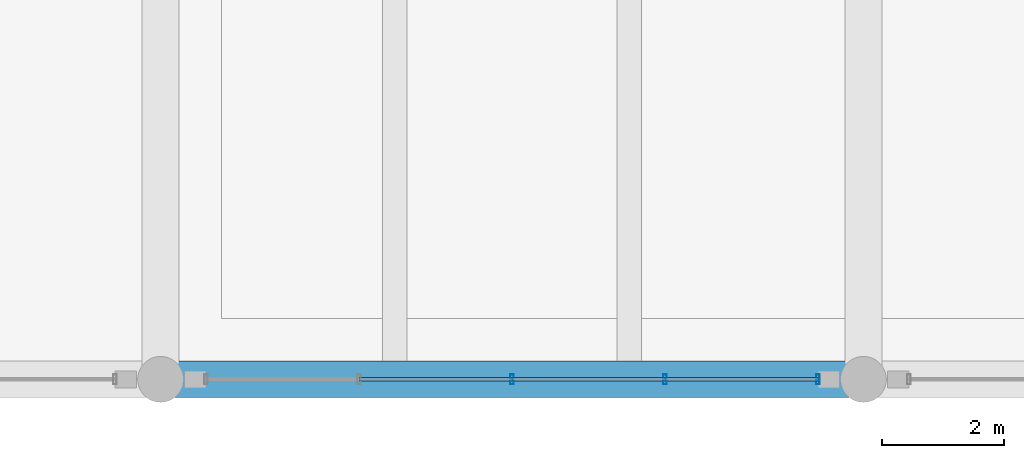
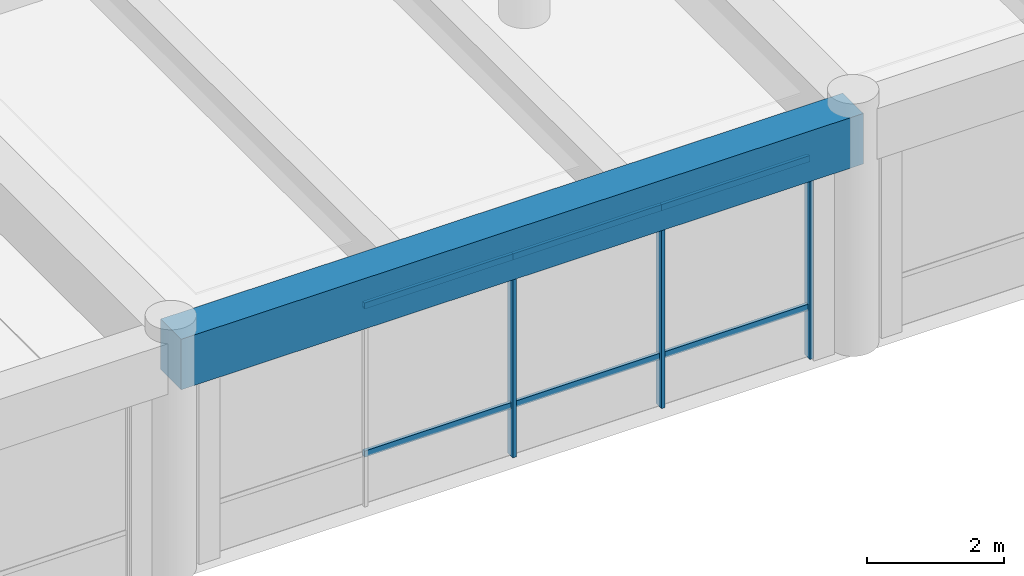
# One storey, part 28 of 154: 9 members, 1 beam, 1 element without a shape of its own.
"""IFC4 building model written with IfcOpenShell, lengths in metres."""

from ifc_helpers import new_model, si_unit, direction, frame, origin, origin_2d, place, context, subcontext, project, spatial, rectangle, hollow_rectangle, extrude, material, material_profile, profile_set, type_object, element, aggregate, save


model = new_model("IFC4")

# Units and contexts
model_context = context("Model", 3, precision=1e-05, world=origin(), true_north=direction((0.0, 1.0)))
body_context = subcontext(model_context, "Body", "Model", "MODEL_VIEW")
ifc_project = project(units=[si_unit("LENGTHUNIT", "METRE"), si_unit("AREAUNIT", "SQUARE_METRE"), si_unit("VOLUMEUNIT", "CUBIC_METRE"), si_unit("PLANEANGLEUNIT", "RADIAN"), si_unit("MASSUNIT", "GRAM", prefix="KILO")], contexts=[model_context])

# Site, building, storey
site_placement = place(None, origin())
site = spatial("IfcSite", under=ifc_project, at=site_placement, CompositionType="ELEMENT")
building_placement = place(site_placement, origin())
building = spatial("IfcBuilding", under=site, at=building_placement, Name="Ologun Quay Terminus", CompositionType="ELEMENT")
storey_placement = place(building_placement, frame((0.0, 0.0, 13.800048828125)))
storey = spatial("IfcBuildingStorey", under=building, at=storey_placement, Name="L03", CompositionType="ELEMENT", Elevation=13.800048828125)

# Curtain wall, members
ifc_material_1 = material(Name="Aluminium 6063-T6", Category="aluminium")
curtain_wall_type = type_object("IfcCurtainWallType", Name="South Pavilion Reading Hall Curtain Wall 10700x4150", PredefinedType="USERDEFINED", material=ifc_material_1)
curtain_wall_placement = place(storey_placement, origin())
curtain_wall = element("IfcCurtainWall", 1, at=curtain_wall_placement, inside=storey, type_object=curtain_wall_type, Name="CW-06 Curtain Wall CW-L03-035", ObjectType="UNITISED CURTAIN WALL", PredefinedType="USERDEFINED")
ifc_material_2 = material(Name="Aluminium 6063-T6", Category="aluminium")
ifc_material_profile_1 = material_profile(ifc_material_2, hollow_rectangle(XDim=0.06005859375, YDim=0.159912109375, WallThickness=0.00390625, at=origin_2d()), Name="ALU 160x60x4")
ifc_profile_set_1 = profile_set([ifc_material_profile_1], Name="Aluminium 6063-T6")
member_type_1 = type_object("IfcMemberType", Name="Curtain Wall Standard Mullion 160x65", PredefinedType="MULLION", material=ifc_profile_set_1)
member_1_placement = place(storey_placement, frame((74.75, 8.0, 0.0), z_axis=(0.0, 0.0, 1.0), x_axis=(1.0, 0.0, 0.0)))
member_1 = element("IfcMember", 2, at=member_1_placement, type_object=member_type_1, Name="CW-L03-035 Mullion 3", PredefinedType="MULLION", context=body_context, shape_type="SweptSolid", body=[
    extrude(hollow_rectangle(XDim=0.06005859375, YDim=0.159912109375, WallThickness=0.00390625, at=origin_2d()), origin(), (0.0, 0.0, 1.0), 4.239990234375),
])
member_2_placement = place(storey_placement, frame((77.25244140625, 8.0, 0.0), z_axis=(0.0, 0.0, 1.0), x_axis=(1.0, 0.0, 0.0)))
member_2 = element("IfcMember", 3, at=member_2_placement, type_object=member_type_1, Name="CW-L03-035 Mullion 4", PredefinedType="MULLION", context=body_context, shape_type="SweptSolid", body=[
    extrude(hollow_rectangle(XDim=0.06005859375, YDim=0.159912109375, WallThickness=0.00390625, at=origin_2d()), origin(), (0.0, 0.0, 1.0), 4.239990234375),
])
member_3_placement = place(storey_placement, frame((79.7548828125, 8.0, 0.0), z_axis=(0.0, 0.0, 1.0), x_axis=(1.0, 0.0, 0.0)))
member_3 = element("IfcMember", 4, at=member_3_placement, type_object=member_type_1, Name="CW-L03-035 Mullion 5", PredefinedType="MULLION", context=body_context, shape_type="SweptSolid", body=[
    extrude(hollow_rectangle(XDim=0.06005859375, YDim=0.159912109375, WallThickness=0.00390625, at=origin_2d()), origin(), (0.0, 0.0, 1.0), 4.239990234375),
])
ifc_material_3 = material(Name="Aluminium 6063-T6", Category="aluminium")
ifc_material_profile_2 = material_profile(ifc_material_3, hollow_rectangle(XDim=0.054931640625, YDim=0.110107421875, WallThickness=0.00390625, at=origin_2d()), Name="ALU 110x55x4")
ifc_profile_set_2 = profile_set([ifc_material_profile_2], Name="Aluminium 6063-T6")
member_type_2 = type_object("IfcMemberType", Name="Curtain Wall Standard Transom 110x55", PredefinedType="USERDEFINED", material=ifc_profile_set_2)
member_4_placement = place(storey_placement, frame((72.24755859375, 8.0, 0.89990234375), z_axis=(1.0, 0.0, 0.0), x_axis=(0.0, 1.0, 0.0)))
member_4 = element("IfcMember", 5, at=member_4_placement, type_object=member_type_2, Name="CW-L03-035 Transom B2-1", ObjectType="TRANSOM", PredefinedType="USERDEFINED", context=body_context, shape_type="SweptSolid", body=[
    extrude(hollow_rectangle(XDim=0.054931640625, YDim=0.110107421875, WallThickness=0.00390625, at=origin_2d()), origin(), (0.0, 0.0, 1.0), 2.50244140625),
])
member_5_placement = place(storey_placement, frame((72.24755859375, 8.0, 3.5400390625), z_axis=(1.0, 0.0, 0.0), x_axis=(0.0, 1.0, 0.0)))
member_5 = element("IfcMember", 6, at=member_5_placement, type_object=member_type_2, Name="CW-L03-035 Transom B2-2", ObjectType="TRANSOM", PredefinedType="USERDEFINED", context=body_context, shape_type="SweptSolid", body=[
    extrude(hollow_rectangle(XDim=0.054931640625, YDim=0.110107421875, WallThickness=0.00390625, at=origin_2d()), origin(), (0.0, 0.0, 1.0), 2.50244140625),
])
member_6_placement = place(storey_placement, frame((74.75, 8.0, 0.89990234375), z_axis=(1.0, 0.0, 0.0), x_axis=(0.0, 1.0, 0.0)))
member_6 = element("IfcMember", 7, at=member_6_placement, type_object=member_type_2, Name="CW-L03-035 Transom B3-1", ObjectType="TRANSOM", PredefinedType="USERDEFINED", context=body_context, shape_type="SweptSolid", body=[
    extrude(hollow_rectangle(XDim=0.054931640625, YDim=0.110107421875, WallThickness=0.00390625, at=origin_2d()), origin(), (0.0, 0.0, 1.0), 2.50244140625),
])
member_7_placement = place(storey_placement, frame((74.75, 8.0, 3.5400390625), z_axis=(1.0, 0.0, 0.0), x_axis=(0.0, 1.0, 0.0)))
member_7 = element("IfcMember", 8, at=member_7_placement, type_object=member_type_2, Name="CW-L03-035 Transom B3-2", ObjectType="TRANSOM", PredefinedType="USERDEFINED", context=body_context, shape_type="SweptSolid", body=[
    extrude(hollow_rectangle(XDim=0.054931640625, YDim=0.110107421875, WallThickness=0.00390625, at=origin_2d()), origin(), (0.0, 0.0, 1.0), 2.50244140625),
])
member_8_placement = place(storey_placement, frame((77.25244140625, 8.0, 0.89990234375), z_axis=(1.0, 0.0, 0.0), x_axis=(0.0, 1.0, 0.0)))
member_8 = element("IfcMember", 9, at=member_8_placement, type_object=member_type_2, Name="CW-L03-035 Transom B4-1", ObjectType="TRANSOM", PredefinedType="USERDEFINED", context=body_context, shape_type="SweptSolid", body=[
    extrude(hollow_rectangle(XDim=0.054931640625, YDim=0.110107421875, WallThickness=0.00390625, at=origin_2d()), origin(), (0.0, 0.0, 1.0), 2.50244140625),
])
member_9_placement = place(storey_placement, frame((77.25244140625, 8.0, 3.5400390625), z_axis=(1.0, 0.0, 0.0), x_axis=(0.0, 1.0, 0.0)))
member_9 = element("IfcMember", 10, at=member_9_placement, type_object=member_type_2, Name="CW-L03-035 Transom B4-2", ObjectType="TRANSOM", PredefinedType="USERDEFINED", context=body_context, shape_type="SweptSolid", body=[
    extrude(hollow_rectangle(XDim=0.054931640625, YDim=0.110107421875, WallThickness=0.00390625, at=origin_2d()), origin(), (0.0, 0.0, 1.0), 2.50244140625),
])
aggregate(curtain_wall, [member_1, member_2, member_3, member_4, member_5, member_6, member_7, member_8, member_9])

# Beam
ifc_material_4 = material(Name="Concrete C40/50", Category="concrete")
ifc_material_profile_3 = material_profile(ifc_material_4, rectangle(XDim=0.60009765625, YDim=0.89990234375, at=origin_2d()), Name="RC 600x900")
ifc_profile_set_3 = profile_set([ifc_material_profile_3], Name="Concrete C40/50")
beam_type = type_object("IfcBeamType", Name="Station Frame Girder 600x900", PredefinedType="BEAM", material=ifc_profile_set_3)
beam_placement = place(storey_placement, frame((69.0, 8.0, 3.800048828125), z_axis=(1.0, 0.0, 0.0), x_axis=(0.0, 1.0, 0.0)))
element("IfcBeam", 11, at=beam_placement, inside=storey, type_object=beam_type, Name="B3 Beam 7/B L03", PredefinedType="BEAM", context=body_context, shape_type="SweptSolid", body=[
    extrude(rectangle(XDim=0.60009765625, YDim=0.89990234375, at=origin_2d()), origin(), (0.0, 0.0, 1.0), 11.5),
])

save(model, "model.ifc")
